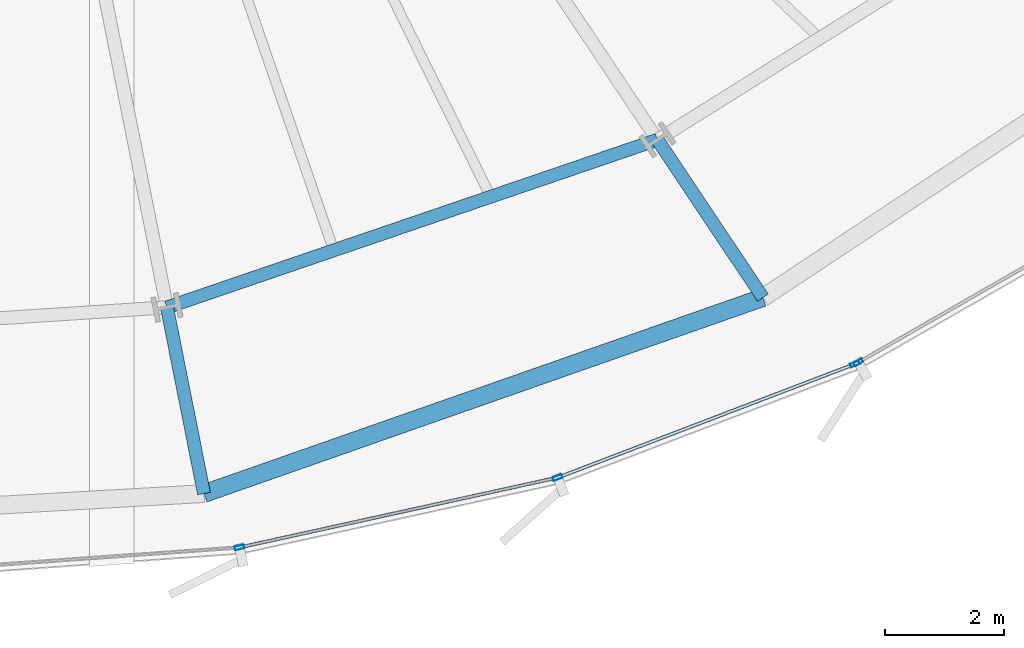
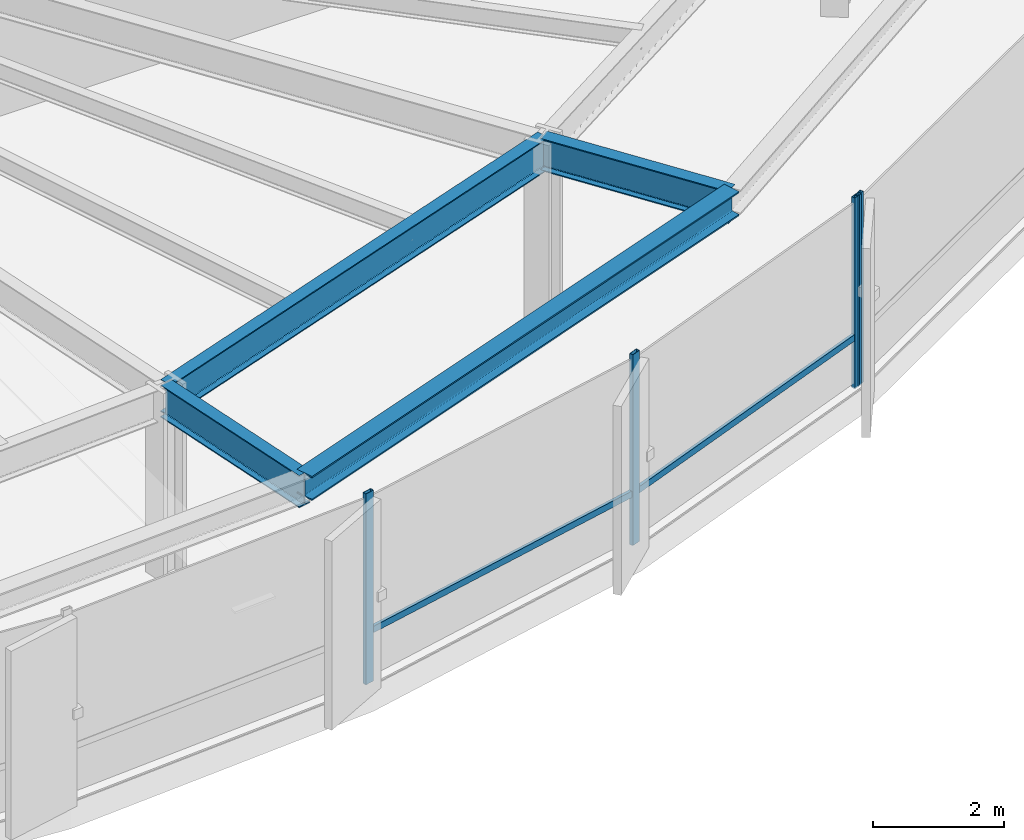
# One storey, part 12 of 38: 6 members, 4 beams, 2 elements without a shape of their own.
"""IFC4 building model written with IfcOpenShell, lengths in metres."""

from ifc_helpers import new_model, si_unit, direction, frame, origin, origin_2d, place, context, subcontext, project, spatial, hollow_rectangle, i_section, extrude, source, transform, mapped, material, layer, layer_set, material_profile, profile_set, type_object, element, aggregate, save


model = new_model("IFC4")

# Units and contexts
model_context = context("Model", 3, precision=1e-05, world=origin(), true_north=direction((0.0, 1.0)))
body_context = subcontext(model_context, "Body", "Model", "MODEL_VIEW")
ifc_project = project(units=[si_unit("LENGTHUNIT", "METRE"), si_unit("AREAUNIT", "SQUARE_METRE"), si_unit("VOLUMEUNIT", "CUBIC_METRE"), si_unit("PLANEANGLEUNIT", "RADIAN"), si_unit("MASSUNIT", "GRAM", prefix="KILO"), si_unit("THERMODYNAMICTEMPERATUREUNIT", "KELVIN")], contexts=[model_context])

# Site, building, storey
site_placement = place(None, origin())
site = spatial("IfcSite", under=ifc_project, at=site_placement, CompositionType="ELEMENT")
building_placement = place(site_placement, origin())
building = spatial("IfcBuilding", under=site, at=building_placement, Name="Kethvar Cultural Tower", CompositionType="ELEMENT")
storey_placement = place(building_placement, frame((0.0, 0.0, 29.60009765625)))
storey = spatial("IfcBuildingStorey", under=building, at=storey_placement, Name="L06", CompositionType="ELEMENT", Elevation=29.60009765625)

# Beams
ifc_material_1 = material(Name="Steel S355J2", Category="steel")
ifc_material_profile_1 = material_profile(ifc_material_1, i_section(OverallWidth=0.219970703125, OverallDepth=0.60009765625, WebThickness=0.011962890625, FlangeThickness=0.01904296875, FilletRadius=0.02392578125, at=origin_2d()), Name="Steel S355J2 — IPE600")
ifc_profile_set_1 = profile_set([ifc_material_profile_1], Name="Steel S355J2 — IPE600")
beam_type_1 = type_object("IfcBeamType", Name="BM-IPE600", PredefinedType="BEAM", material=ifc_profile_set_1)
shared_shape_1 = source(origin(), body_context, "Body", "SweptSolid", [
    extrude(i_section(OverallWidth=0.219970703125, OverallDepth=0.60009765625, WebThickness=0.011962890625, FlangeThickness=0.01904296875, FilletRadius=0.02392578125, at=origin_2d()), origin(), (0.0, 0.0, 1.0), 3.199951171875),
])
for number, where, z_axis, x_axis, name in (
    (1, (51.10400390625, 6.16259765625, 3.247802734375), (0.195088965533, -0.980785550224, 0.0), (0.980785550224, 0.195088965533, 0.0), "L06 Perimeter Cantilever Beam RC-13"),
    (2, (59.370361328125, 8.987060546875, 3.247802734375), (0.555580212716, -0.831462943996, 0.0), (0.831462943996, 0.555580212716, 0.0), "L06 Perimeter Cantilever Beam RC-14"),
):
    element("IfcBeam", number, at=place(storey_placement, frame(where, z_axis=z_axis, x_axis=x_axis)), inside=storey, type_object=beam_type_1, Name=name, PredefinedType="BEAM", context=body_context, shape_type="MappedRepresentation", body=[
        mapped(shared_shape_1, transform((0.0, 0.0, 0.0), scale=1.0)),
    ])
shared_shape_2 = source(origin(), body_context, "Body", "SweptSolid", [
    extrude(i_section(OverallWidth=0.219970703125, OverallDepth=0.60009765625, WebThickness=0.011962890625, FlangeThickness=0.01904296875, FilletRadius=0.02392578125, at=origin_2d()), origin(), (0.0, 0.0, 1.0), 8.735595703125),
])
beam_1_placement = place(storey_placement, frame((51.10400390625, 6.16259765625, 3.247802734375), z_axis=(0.946286676119, 0.323328821171, 0.0), x_axis=(-0.323328821171, 0.946286676119, 0.0)))
element("IfcBeam", 3, at=beam_1_placement, inside=storey, type_object=beam_type_1, Name="L06 Column Ring Tie Beam CR-13", PredefinedType="BEAM", context=body_context, shape_type="MappedRepresentation", body=[
    mapped(shared_shape_2, transform((0.0, 0.0, 0.0), scale=1.0)),
])
ifc_material_profile_2 = material_profile(ifc_material_1, i_section(OverallWidth=0.300048828125, OverallDepth=0.449951171875, WebThickness=0.013916015625, FlangeThickness=0.02587890625, FilletRadius=0.027099609375, at=origin_2d()), Name="Steel S355J2 — HEB450")
ifc_profile_set_2 = profile_set([ifc_material_profile_2], Name="Steel S355J2 — HEB450")
beam_type_2 = type_object("IfcBeamType", Name="BM-SP450", PredefinedType="SPANDREL", material=ifc_profile_set_2)
shared_shape_3 = source(origin(), body_context, "Body", "SweptSolid", [
    extrude(i_section(OverallWidth=0.300048828125, OverallDepth=0.449951171875, WebThickness=0.013916015625, FlangeThickness=0.02587890625, FilletRadius=0.027099609375, at=origin_2d()), origin(), (0.0, 0.0, 1.0), 9.98193359375),
])
beam_2_placement = place(storey_placement, frame((51.728271484375, 3.024169921875, 3.322998046875), z_axis=(0.943693514159, 0.330821026138, 0.0), x_axis=(-0.330821026138, 0.943693514159, 0.0)))
element("IfcBeam", 4, at=beam_2_placement, inside=storey, type_object=beam_type_2, Name="L06 Perimeter Spandrel Beam SP-13", PredefinedType="SPANDREL", context=body_context, shape_type="MappedRepresentation", body=[
    mapped(shared_shape_3, transform((0.0, 0.0, 0.0), scale=1.0)),
])

# Curtain wall, members
ifc_material_2 = material(Name="Aluminium 6063-T6", Category="aluminium")
ifc_layer = layer(ifc_material_2, 0.179931640625, Name="Aluminium 6063-T6", Category="aluminium")
ifc_layer_set = layer_set([ifc_layer], Name="Aluminium 6063-T6 (180 mm)")
curtain_wall_type = type_object("IfcCurtainWallType", Name="CW-SYS-02-Z1", PredefinedType="NOTDEFINED", material=ifc_layer_set)
curtain_wall_1_placement = place(storey_placement, origin())
curtain_wall_1 = element("IfcCurtainWall", 5, at=curtain_wall_1_placement, inside=storey, type_object=curtain_wall_type, Name="L06 Curtain Wall Run 05", PredefinedType="NOTDEFINED")
ifc_material_profile_3 = material_profile(ifc_material_2, hollow_rectangle(XDim=0.06494140625, YDim=0.159912109375, WallThickness=0.0048828125, at=origin_2d()), Name="Aluminium 6063-T6 — RHS160x65x5")
ifc_profile_set_3 = profile_set([ifc_material_profile_3], Name="Aluminium 6063-T6 — RHS160x65x5")
member_type_1 = type_object("IfcMemberType", Name="CW-SYS-02-Z1-MUL", PredefinedType="MULLION", material=ifc_profile_set_3)
shared_shape_4 = source(origin(), body_context, "Body", "SweptSolid", [
    extrude(hollow_rectangle(XDim=0.06494140625, YDim=0.159912109375, WallThickness=0.0048828125, at=origin_2d()), origin(), (0.0, 0.0, 1.0), 3.5498046875),
])
member_1_placement = place(storey_placement, frame((52.32421875, 2.115234375, 0.0), z_axis=(0.0, 0.0, 1.0), x_axis=(-0.214564862428, 0.976709741843, 0.0)))
member_1 = element("IfcMember", 6, at=member_1_placement, type_object=member_type_1, Name="CW-L06-R05 Mullion 5", PredefinedType="MULLION", context=body_context, shape_type="MappedRepresentation", body=[
    mapped(shared_shape_4, transform((0.0, 0.0, 0.0), scale=1.0)),
])
member_2_placement = place(storey_placement, frame((57.688232421875, 3.292236328125, 0.0), z_axis=(0.0, 0.0, 1.0), x_axis=(-0.357064076459, 0.934079892355, 0.0)))
member_2 = element("IfcMember", 7, at=member_2_placement, type_object=member_type_1, Name="CW-L06-R05 Mullion 6", PredefinedType="MULLION", context=body_context, shape_type="MappedRepresentation", body=[
    mapped(shared_shape_4, transform((0.0, 0.0, 0.0), scale=1.0)),
])
member_3_placement = place(storey_placement, frame((62.69775390625, 5.20703125, 0.0), z_axis=(0.0, 0.0, 1.0), x_axis=(-0.357064076459, 0.934079892355, 0.0)))
member_3 = element("IfcMember", 8, at=member_3_placement, type_object=member_type_1, Name="CW-L06-R05 Mullion 7", PredefinedType="MULLION", context=body_context, shape_type="MappedRepresentation", body=[
    mapped(shared_shape_4, transform((0.0, 0.0, 0.0), scale=1.0)),
])

# Curtain wall, member
curtain_wall_2_placement = place(storey_placement, origin())
curtain_wall_2 = element("IfcCurtainWall", 9, at=curtain_wall_2_placement, inside=storey, type_object=curtain_wall_type, Name="L06 Curtain Wall Run 06", PredefinedType="NOTDEFINED")
member_4_placement = place(storey_placement, frame((62.7568359375, 5.235107421875, 0.0), z_axis=(0.0, 0.0, 1.0), x_axis=(-0.497821863918, 0.867279304379, 0.0)))
member_4 = element("IfcMember", 10, at=member_4_placement, type_object=member_type_1, Name="CW-L06-R06 Mullion 1", PredefinedType="MULLION", context=body_context, shape_type="MappedRepresentation", body=[
    mapped(shared_shape_4, transform((0.0, 0.0, 0.0), scale=1.0)),
])
aggregate(curtain_wall_2, [member_4])

# Member
ifc_material_profile_4 = material_profile(ifc_material_2, hollow_rectangle(XDim=0.054931640625, YDim=0.1201171875, WallThickness=0.00390625, at=origin_2d()), Name="Aluminium 6063-T6 — RHS120x55x4")
ifc_profile_set_4 = profile_set([ifc_material_profile_4], Name="Aluminium 6063-T6 — RHS120x55x4")
member_type_2 = type_object("IfcMemberType", Name="CW-SYS-02-Z1-TRN", PredefinedType="USERDEFINED", material=ifc_profile_set_4)
shared_shape_5 = source(origin(), body_context, "Body", "SweptSolid", [
    extrude(hollow_rectangle(XDim=0.054931640625, YDim=0.1201171875, WallThickness=0.00390625, at=origin_2d()), origin(), (0.0, 0.0, 1.0), 5.3115234375),
])
member_5_placement = place(storey_placement, frame((57.73193359375, 3.308837890625, 0.949951171875), z_axis=(0.934069872158, 0.3570902882, 0.0), x_axis=(-0.3570902882, 0.934069872158, 0.0)))
member_5 = element("IfcMember", 11, at=member_5_placement, type_object=member_type_2, Name="CW-L06-R05 Transom 6", ObjectType="TRANSOM", PredefinedType="USERDEFINED", context=body_context, shape_type="MappedRepresentation", body=[
    mapped(shared_shape_5, transform((0.0, 0.0, 0.0), scale=1.0)),
])

shared_shape_6 = source(origin(), body_context, "Body", "SweptSolid", [
    extrude(hollow_rectangle(XDim=0.054931640625, YDim=0.1201171875, WallThickness=0.00390625, at=origin_2d()), origin(), (0.0, 0.0, 1.0), 5.415771484375),
])
member_6_placement = place(storey_placement, frame((52.369873046875, 2.125244140625, 0.949951171875), z_axis=(0.976706104203, 0.214581420475, 0.0), x_axis=(-0.214581420475, 0.976706104203, 0.0)))
member_6 = element("IfcMember", 12, at=member_6_placement, type_object=member_type_2, Name="CW-L06-R05 Transom 5", ObjectType="TRANSOM", PredefinedType="USERDEFINED", context=body_context, shape_type="MappedRepresentation", body=[
    mapped(shared_shape_6, transform((0.0, 0.0, 0.0), scale=1.0)),
])

aggregate(curtain_wall_1, [member_1, member_2, member_3, member_6, member_5])

save(model, "model.ifc")
